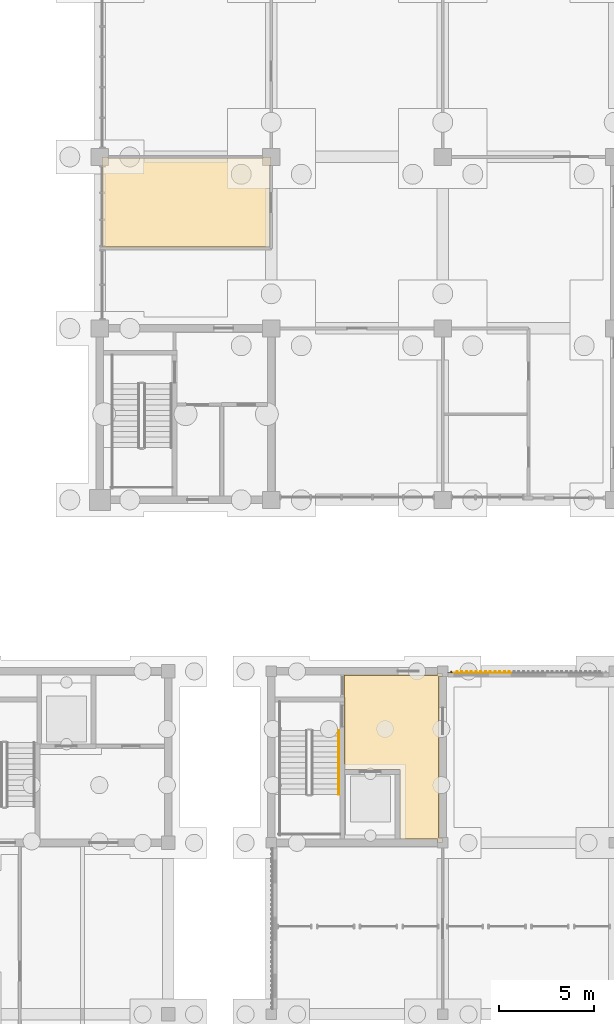
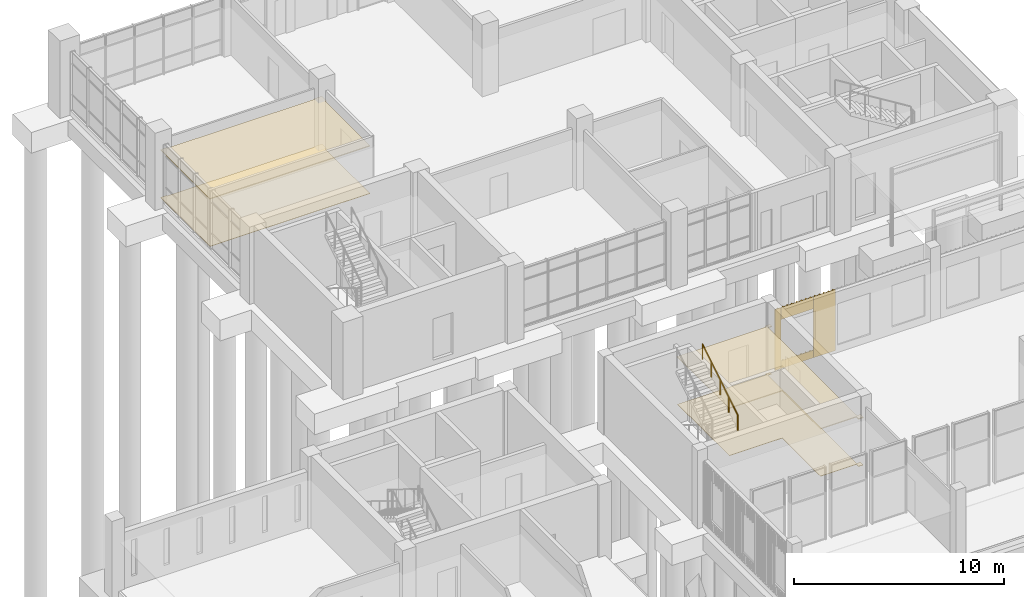
# One storey, part 100 of 106: 8 coverings, 1 railing.
"""IFC4 building model written with IfcOpenShell, lengths in metres."""

from ifc_helpers import new_model, si_unit, direction, frame, origin, origin_2d, place, context, subcontext, project, spatial, polyline, circle, outline, extrude, source, transform, mapped, material, layer, layer_set, type_object, element, save


model = new_model("IFC4")

# Units and contexts
model_context = context("Model", 3, precision=1e-05, world=origin(), true_north=direction((0.0, 1.0)))
body_context = subcontext(model_context, "Body", "Model", "MODEL_VIEW")
ifc_project = project(units=[si_unit("LENGTHUNIT", "METRE"), si_unit("AREAUNIT", "SQUARE_METRE"), si_unit("VOLUMEUNIT", "CUBIC_METRE"), si_unit("PLANEANGLEUNIT", "RADIAN"), si_unit("MASSUNIT", "GRAM", prefix="KILO")], contexts=[model_context])

# Site, building, storey
site_placement = place(None, origin())
site = spatial("IfcSite", under=ifc_project, at=site_placement, CompositionType="ELEMENT")
building_placement = place(site_placement, origin())
building = spatial("IfcBuilding", under=site, at=building_placement, Name="Merrow Basin Faculty of Sciences", CompositionType="ELEMENT")
storey_placement = place(building_placement, origin())
storey = spatial("IfcBuildingStorey", under=building, at=storey_placement, Name="L00", CompositionType="ELEMENT", Elevation=0.0)

# Coverings
ifc_material_1 = material(Name="Carpet tile floor")
ifc_layer_1 = layer(ifc_material_1, 0.02001953125)
ifc_layer_set_1 = layer_set([ifc_layer_1], Name="Carpet tile floor")
covering_type_1 = type_object("IfcCoveringType", Name="Carpet tile floor", PredefinedType="FLOORING", material=ifc_layer_set_1)
covering_1_placement = place(storey_placement, origin())
element("IfcCovering", 1, at=covering_1_placement, inside=storey, type_object=covering_type_1, Name="Floor finish L00-T-016", PredefinedType="FLOORING", context=body_context, shape_type="SweptSolid", body=[
    extrude(outline(polyline([(26.989990234375, 159.56005859375), (26.9150390625, 159.56005859375), (26.9150390625, 155.284912109375), (18.110107421875, 155.284912109375), (18.110107421875, 159.989990234375), (18.43994140625, 159.989990234375), (18.43994140625, 159.93994140625), (26.56005859375, 159.93994140625), (26.56005859375, 159.989990234375), (26.989990234375, 159.989990234375), (26.989990234375, 159.56005859375)])), origin(), (0.0, 0.0, 1.0), 0.02001953125),
])
ifc_material_2 = material(Name="Polished terrazzo floor")
ifc_layer_2 = layer(ifc_material_2, 0.02001953125)
ifc_layer_set_2 = layer_set([ifc_layer_2], Name="Polished terrazzo floor")
covering_type_2 = type_object("IfcCoveringType", Name="Polished terrazzo floor", PredefinedType="FLOORING", material=ifc_layer_set_2)
covering_2_placement = place(storey_placement, origin())
element("IfcCovering", 2, at=covering_2_placement, inside=storey, type_object=covering_type_2, Name="Floor finish L00-C-015", PredefinedType="FLOORING", context=body_context, shape_type="SweptSolid", body=[
    extrude(outline(polyline([(35.989990234375, 132.889892578125), (35.989990234375, 132.735107421875), (35.7900390625, 132.735107421875), (35.7900390625, 124.264892578125), (35.989990234375, 124.264892578125), (35.989990234375, 124.010009765625), (35.735107421875, 124.010009765625), (35.735107421875, 124.2099609375), (33.760009765625, 124.2099609375), (33.760009765625, 127.860107421875), (30.860107421875, 127.860107421875), (30.860107421875, 131.659912109375), (30.8349609375, 131.659912109375), (30.8349609375, 132.7900390625), (35.735107421875, 132.7900390625), (35.735107421875, 132.889892578125), (35.989990234375, 132.889892578125)])), origin(), (0.0, 0.0, 1.0), 0.02001953125),
])

# Railing
ifc_material_3 = material(Name="Steel ASTM A36", Category="steel")
railing_type = type_object("IfcRailingType", Name="Steel handrail 900", PredefinedType="HANDRAIL", material=ifc_material_3)
railing_placement = place(storey_placement, frame((30.550048828125, 126.5400390625, 2.423095703125)))
element("IfcRailing", 3, at=railing_placement, inside=storey, type_object=railing_type, Name="L00 ST-V2-W stair handrail 2", PredefinedType="HANDRAIL", context=body_context, shape_type="SweptSolid", body=[
    extrude(circle(Radius=0.02392578125, at=origin_2d()), frame((0.0, 0.0, 0.8759765625), z_axis=(0.0, 0.850606129759, 0.525803396734), x_axis=(-1.0, 0.0, 0.0)), (0.0, 0.0, 1.0), 3.949951171875),
    extrude(circle(Radius=0.02099609375, at=origin_2d()), origin(), (0.0, 0.0, 1.0), 0.851806640625),
    extrude(circle(Radius=0.02099609375, at=origin_2d()), frame((0.0, 0.83984375, 0.519287109375)), (0.0, 0.0, 1.0), 0.851806640625),
    extrude(circle(Radius=0.02099609375, at=origin_2d()), frame((0.0, 1.679931640625, 1.03857421875)), (0.0, 0.0, 1.0), 0.851806640625),
    extrude(circle(Radius=0.02099609375, at=origin_2d()), frame((0.0, 2.52001953125, 1.5576171875)), (0.0, 0.0, 1.0), 0.851806640625),
    extrude(circle(Radius=0.02099609375, at=origin_2d()), frame((0.0, 3.35986328125, 2.076904296875)), (0.0, 0.0, 1.0), 0.851806640625),
])

# Coverings
ifc_material_4 = material(Name="Mineral fibre ceiling tile")
ifc_layer_3 = layer(ifc_material_4, 0.050048828125)
ifc_layer_set_3 = layer_set([ifc_layer_3], Name="Suspended acoustic ceiling tile")
covering_type_3 = type_object("IfcCoveringType", Name="Suspended acoustic ceiling tile", PredefinedType="CEILING", material=ifc_layer_set_3)
covering_3_placement = place(storey_placement, frame((0.0, 0.0, 2.75)))
element("IfcCovering", 4, at=covering_3_placement, inside=storey, type_object=covering_type_3, Name="Ceiling L00-T-016", PredefinedType="CEILING", context=body_context, shape_type="SweptSolid", body=[
    extrude(outline(polyline([(26.989990234375, 159.56005859375), (26.9150390625, 159.56005859375), (26.9150390625, 155.284912109375), (18.110107421875, 155.284912109375), (18.110107421875, 159.989990234375), (18.43994140625, 159.989990234375), (18.43994140625, 159.93994140625), (26.56005859375, 159.93994140625), (26.56005859375, 159.989990234375), (26.989990234375, 159.989990234375), (26.989990234375, 159.56005859375)])), origin(), (0.0, 0.0, 1.0), 0.050048828125),
])
covering_4_placement = place(storey_placement, frame((0.0, 0.0, 2.75)))
element("IfcCovering", 5, at=covering_4_placement, inside=storey, type_object=covering_type_3, Name="Ceiling L00-C-015", PredefinedType="CEILING", context=body_context, shape_type="SweptSolid", body=[
    extrude(outline(polyline([(36.0, 132.89990234375), (36.0, 132.72509765625), (35.800048828125, 132.72509765625), (35.800048828125, 124.27490234375), (36.0, 124.27490234375), (36.0, 124.0), (35.72509765625, 124.0), (35.72509765625, 124.199951171875), (33.75, 124.199951171875), (33.75, 127.85009765625), (30.85009765625, 127.85009765625), (30.85009765625, 131.64990234375), (30.824951171875, 131.64990234375), (30.824951171875, 132.800048828125), (35.72509765625, 132.800048828125), (35.72509765625, 132.89990234375), (36.0, 132.89990234375)])), origin(), (0.0, 0.0, 1.0), 0.050048828125),
])
ifc_material_5 = material(Name="Larch timber", Category="wood")
ifc_layer_4 = layer(ifc_material_5, 0.0849609375)
ifc_layer_set_4 = layer_set([ifc_layer_4], Name="Larch batten cladding 85")
covering_type_4 = type_object("IfcCoveringType", Name="Larch batten cladding 85", PredefinedType="CLADDING", material=ifc_layer_set_4)
shared_shape_1 = source(origin(), body_context, "Body", "SweptSolid", [
    extrude(outline(polyline([(0.0, 0.0), (0.324951171875, 0.0), (0.324951171875, 0.02490234375), (0.18701171875, 0.02490234375), (0.18701171875, 0.0849609375), (0.136962890625, 0.0849609375), (0.136962890625, 0.02490234375), (0.0, 0.02490234375), (0.0, 0.0)])), origin(), (0.0, 0.0, 1.0), 3.550048828125),
])
covering_5_placement = place(storey_placement, frame((36.27490234375, 132.9150390625, 0.0), z_axis=(0.0, 0.0, 1.0), x_axis=(1.0, 0.0, 0.0)))
element("IfcCovering", 6, at=covering_5_placement, inside=storey, type_object=covering_type_4, Name="Larch batten cladding", PredefinedType="CLADDING", context=body_context, shape_type="MappedRepresentation", body=[
    mapped(shared_shape_1, transform((0.0, 0.0, 0.0), scale=1.0)),
])
shared_shape_2 = source(origin(), body_context, "Body", "SweptSolid", [
    extrude(outline(polyline([(0.0, 0.0), (1.800048828125, 0.0), (1.800048828125, 0.02490234375), (1.675048828125, 0.02490234375), (1.675048828125, 0.0849609375), (1.625, 0.0849609375), (1.625, 0.02490234375), (1.425048828125, 0.02490234375), (1.425048828125, 0.0849609375), (1.375, 0.0849609375), (1.375, 0.02490234375), (1.175048828125, 0.02490234375), (1.175048828125, 0.0849609375), (1.125, 0.0849609375), (1.125, 0.02490234375), (0.925048828125, 0.02490234375), (0.925048828125, 0.0849609375), (0.875, 0.0849609375), (0.875, 0.02490234375), (0.675048828125, 0.02490234375), (0.675048828125, 0.0849609375), (0.625, 0.0849609375), (0.625, 0.02490234375), (0.425048828125, 0.02490234375), (0.425048828125, 0.0849609375), (0.375, 0.0849609375), (0.375, 0.02490234375), (0.175048828125, 0.02490234375), (0.175048828125, 0.0849609375), (0.125, 0.0849609375), (0.125, 0.02490234375), (0.0, 0.02490234375), (0.0, 0.0)])), origin(), (0.0, 0.0, 1.0), 0.449951171875),
])
covering_6_placement = place(storey_placement, frame((36.60009765625, 132.9150390625, 0.0), z_axis=(0.0, 0.0, 1.0), x_axis=(1.0, 0.0, 0.0)))
element("IfcCovering", 7, at=covering_6_placement, inside=storey, type_object=covering_type_4, Name="Larch batten cladding", PredefinedType="CLADDING", context=body_context, shape_type="MappedRepresentation", body=[
    mapped(shared_shape_2, transform((0.0, 0.0, 0.0), scale=1.0)),
])
shared_shape_3 = source(origin(), body_context, "Body", "SweptSolid", [
    extrude(outline(polyline([(0.0, 0.0), (1.800048828125, 0.0), (1.800048828125, 0.02490234375), (1.675048828125, 0.02490234375), (1.675048828125, 0.0849609375), (1.625, 0.0849609375), (1.625, 0.02490234375), (1.425048828125, 0.02490234375), (1.425048828125, 0.0849609375), (1.375, 0.0849609375), (1.375, 0.02490234375), (1.175048828125, 0.02490234375), (1.175048828125, 0.0849609375), (1.125, 0.0849609375), (1.125, 0.02490234375), (0.925048828125, 0.02490234375), (0.925048828125, 0.0849609375), (0.875, 0.0849609375), (0.875, 0.02490234375), (0.675048828125, 0.02490234375), (0.675048828125, 0.0849609375), (0.625, 0.0849609375), (0.625, 0.02490234375), (0.425048828125, 0.02490234375), (0.425048828125, 0.0849609375), (0.375, 0.0849609375), (0.375, 0.02490234375), (0.175048828125, 0.02490234375), (0.175048828125, 0.0849609375), (0.125, 0.0849609375), (0.125, 0.02490234375), (0.0, 0.02490234375), (0.0, 0.0)])), origin(), (0.0, 0.0, 1.0), 0.699951171875),
])
covering_7_placement = place(storey_placement, frame((36.60009765625, 132.9150390625, 2.85009765625), z_axis=(0.0, 0.0, 1.0), x_axis=(1.0, 0.0, 0.0)))
element("IfcCovering", 8, at=covering_7_placement, inside=storey, type_object=covering_type_4, Name="Larch batten cladding", PredefinedType="CLADDING", context=body_context, shape_type="MappedRepresentation", body=[
    mapped(shared_shape_3, transform((0.0, 0.0, 0.0), scale=1.0)),
])
shared_shape_4 = source(origin(), body_context, "Body", "SweptSolid", [
    extrude(outline(polyline([(0.0, 0.0), (1.199951171875, 0.0), (1.199951171875, 0.02490234375), (1.125, 0.02490234375), (1.125, 0.0849609375), (1.074951171875, 0.0849609375), (1.074951171875, 0.02490234375), (0.875, 0.02490234375), (0.875, 0.0849609375), (0.824951171875, 0.0849609375), (0.824951171875, 0.02490234375), (0.625, 0.02490234375), (0.625, 0.0849609375), (0.574951171875, 0.0849609375), (0.574951171875, 0.02490234375), (0.375, 0.02490234375), (0.375, 0.0849609375), (0.324951171875, 0.0849609375), (0.324951171875, 0.02490234375), (0.125, 0.02490234375), (0.125, 0.0849609375), (0.074951171875, 0.0849609375), (0.074951171875, 0.02490234375), (0.0, 0.02490234375), (0.0, 0.0)])), origin(), (0.0, 0.0, 1.0), 3.550048828125),
])
covering_8_placement = place(storey_placement, frame((38.39990234375, 132.9150390625, 0.0), z_axis=(0.0, 0.0, 1.0), x_axis=(1.0, 0.0, 0.0)))
element("IfcCovering", 9, at=covering_8_placement, inside=storey, type_object=covering_type_4, Name="Larch batten cladding", PredefinedType="CLADDING", context=body_context, shape_type="MappedRepresentation", body=[
    mapped(shared_shape_4, transform((0.0, 0.0, 0.0), scale=1.0)),
])

save(model, "model.ifc")
